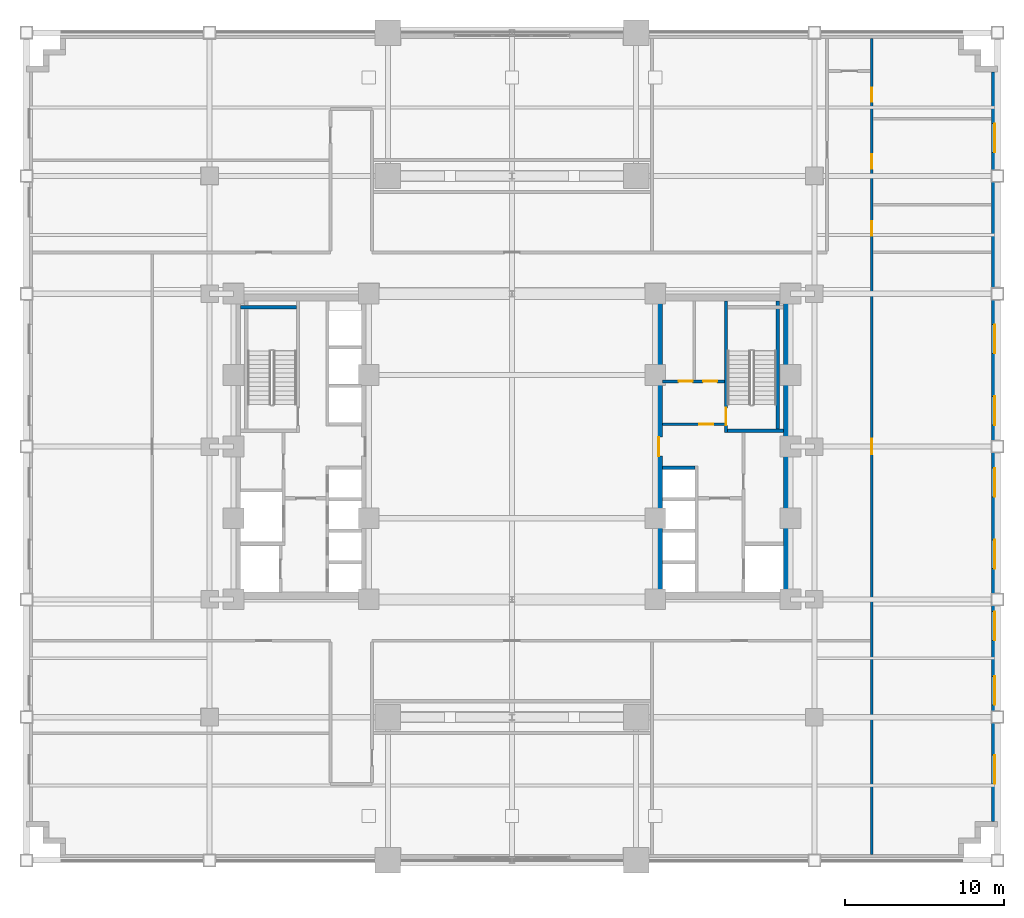
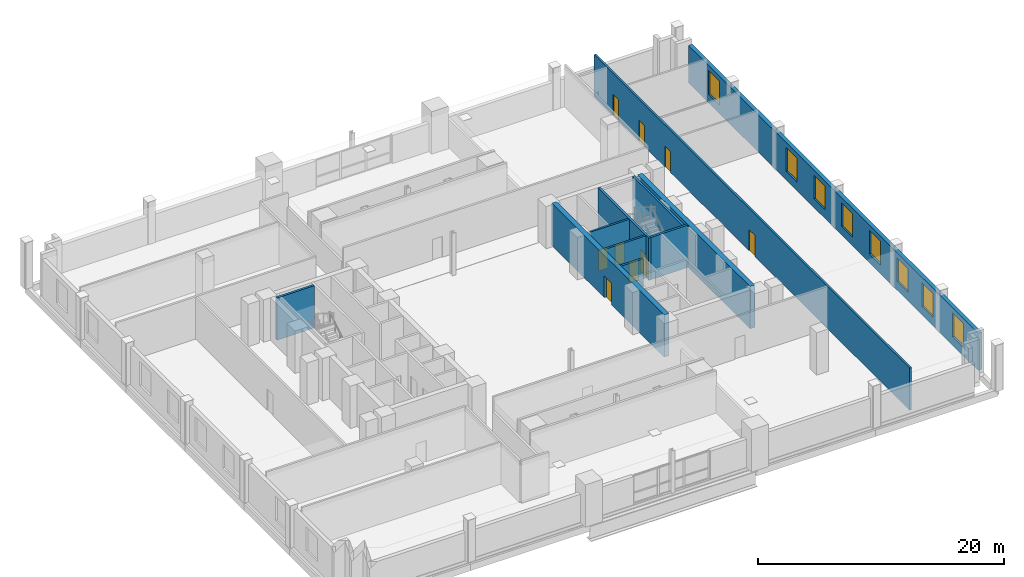
# One storey, part 8 of 17: 11 walls, 9 doors, 8 windows, 17 openings.
"""IFC4 building model written with IfcOpenShell, lengths in metres."""

from ifc_helpers import new_model, si_unit, direction, frame, frame_2d, origin, place, context, subcontext, project, spatial, rectangle, extrude, source, transform, mapped, material, layer, layer_set, type_object, type_shapes, element, fill, save


model = new_model("IFC4")

# Units and contexts
model_context = context("Model", 3, precision=1e-05, world=origin(), true_north=direction((0.0, 1.0)))
body_context = subcontext(model_context, "Body", "Model", "MODEL_VIEW")
ifc_project = project(units=[si_unit("LENGTHUNIT", "METRE"), si_unit("AREAUNIT", "SQUARE_METRE"), si_unit("VOLUMEUNIT", "CUBIC_METRE"), si_unit("PLANEANGLEUNIT", "RADIAN"), si_unit("MASSUNIT", "GRAM", prefix="KILO")], contexts=[model_context])

# Site, building, storey
site_placement = place(None, origin())
site = spatial("IfcSite", under=ifc_project, at=site_placement, CompositionType="ELEMENT")
building_placement = place(site_placement, origin())
building = spatial("IfcBuilding", under=site, at=building_placement, Name="Nuvemarco Arch Tower", CompositionType="ELEMENT")
storey_placement = place(building_placement, frame((0.0, 0.0, 23.0)))
storey = spatial("IfcBuildingStorey", under=building, at=storey_placement, Name="L05", CompositionType="ELEMENT", Elevation=23.0)

# Wall, openings, windows
ifc_material_1 = material(Name="Precast concrete C45/55", Category="concrete")
ifc_layer_1 = layer(ifc_material_1, 0.360107421875, Name="EW-POD-360")
ifc_layer_set_1 = layer_set([ifc_layer_1], Name="Precast concrete C45/55")
wall_type_1 = type_object("IfcWallType", Name="EW-POD-360", PredefinedType="STANDARD", material=ifc_layer_set_1)
wall_1_placement = place(storey_placement, frame((30.320068359375, -23.5439453125, 0.0), z_axis=(0.0, 0.0, 1.0), x_axis=(0.0, 1.0, 0.0)))
wall_1 = element("IfcWall", 1, at=wall_1_placement, inside=storey, type_object=wall_type_1, Name="L05 exterior precast facade wall 6", PredefinedType="STANDARD", context=body_context, shape_type="SweptSolid", body=[
    extrude(rectangle(XDim=47.087890625, YDim=0.360107421875, at=frame_2d((23.5439453125, 0.0))), origin(), (0.0, 0.0, 1.0), 3.701904296875),
])
opening_1_placement = place(wall_1_placement, frame((2.3544921875, 0.0, 0.85009765625)))
opening_1 = element("IfcOpeningElement", 2, at=opening_1_placement, cuts=wall_1, Name="Opening WN-2", PredefinedType="OPENING", context=body_context, shape_type="SweptSolid", body=[
    extrude(rectangle(XDim=1.800048828125, YDim=2.35009765625, at=frame_2d((0.89990234375, 1.175048828125))), frame((0.0, 0.18994140625, 0.0), z_axis=(0.0, -1.0, 0.0), x_axis=(1.0, 0.0, 0.0)), (0.0, 0.0, 1.0), 0.380126953125),
])
opening_2_placement = place(wall_1_placement, frame((7.313232421875, 0.0, 0.85009765625)))
opening_2 = element("IfcOpeningElement", 3, at=opening_2_placement, cuts=wall_1, Name="Opening WN-2", PredefinedType="OPENING", context=body_context, shape_type="SweptSolid", body=[
    extrude(rectangle(XDim=1.800048828125, YDim=2.35009765625, at=frame_2d((0.89990234375, 1.175048828125))), frame((0.0, 0.18994140625, 0.0), z_axis=(0.0, -1.0, 0.0), x_axis=(1.0, 0.0, 0.0)), (0.0, 0.0, 1.0), 0.380126953125),
])
opening_3_placement = place(wall_1_placement, frame((11.3720703125, 0.0, 0.85009765625)))
opening_3 = element("IfcOpeningElement", 4, at=opening_3_placement, cuts=wall_1, Name="Opening WN-2", PredefinedType="OPENING", context=body_context, shape_type="SweptSolid", body=[
    extrude(rectangle(XDim=1.800048828125, YDim=2.35009765625, at=frame_2d((0.89990234375, 1.175048828125))), frame((0.0, 0.18994140625, 0.0), z_axis=(0.0, -1.0, 0.0), x_axis=(1.0, 0.0, 0.0)), (0.0, 0.0, 1.0), 0.380126953125),
])
opening_4_placement = place(wall_1_placement, frame((15.880859375, 0.0, 0.85009765625)))
opening_4 = element("IfcOpeningElement", 5, at=opening_4_placement, cuts=wall_1, Name="Opening WN-2", PredefinedType="OPENING", context=body_context, shape_type="SweptSolid", body=[
    extrude(rectangle(XDim=1.800048828125, YDim=2.35009765625, at=frame_2d((0.89990234375, 1.175048828125))), frame((0.0, 0.18994140625, 0.0), z_axis=(0.0, -1.0, 0.0), x_axis=(1.0, 0.0, 0.0)), (0.0, 0.0, 1.0), 0.380126953125),
])
opening_5_placement = place(wall_1_placement, frame((20.3896484375, 0.0, 0.85009765625)))
opening_5 = element("IfcOpeningElement", 6, at=opening_5_placement, cuts=wall_1, Name="Opening WN-2", PredefinedType="OPENING", context=body_context, shape_type="SweptSolid", body=[
    extrude(rectangle(XDim=1.800048828125, YDim=2.35009765625, at=frame_2d((0.89990234375, 1.175048828125))), frame((0.0, 0.18994140625, 0.0), z_axis=(0.0, -1.0, 0.0), x_axis=(1.0, 0.0, 0.0)), (0.0, 0.0, 1.0), 0.380126953125),
])
opening_6_placement = place(wall_1_placement, frame((24.8984375, 0.0, 0.85009765625)))
opening_6 = element("IfcOpeningElement", 7, at=opening_6_placement, cuts=wall_1, Name="Opening WN-2", PredefinedType="OPENING", context=body_context, shape_type="SweptSolid", body=[
    extrude(rectangle(XDim=1.800048828125, YDim=2.35009765625, at=frame_2d((0.89990234375, 1.175048828125))), frame((0.0, 0.18994140625, 0.0), z_axis=(0.0, -1.0, 0.0), x_axis=(1.0, 0.0, 0.0)), (0.0, 0.0, 1.0), 0.380126953125),
])
opening_7_placement = place(wall_1_placement, frame((29.4072265625, 0.0, 0.85009765625)))
opening_7 = element("IfcOpeningElement", 8, at=opening_7_placement, cuts=wall_1, Name="Opening WN-2", PredefinedType="OPENING", context=body_context, shape_type="SweptSolid", body=[
    extrude(rectangle(XDim=1.800048828125, YDim=2.35009765625, at=frame_2d((0.89990234375, 1.175048828125))), frame((0.0, 0.18994140625, 0.0), z_axis=(0.0, -1.0, 0.0), x_axis=(1.0, 0.0, 0.0)), (0.0, 0.0, 1.0), 0.380126953125),
])
opening_8_placement = place(wall_1_placement, frame((42.03369140625, 0.0, 0.85009765625)))
opening_8 = element("IfcOpeningElement", 9, at=opening_8_placement, cuts=wall_1, Name="Opening WN-2", PredefinedType="OPENING", context=body_context, shape_type="SweptSolid", body=[
    extrude(rectangle(XDim=1.800048828125, YDim=2.35009765625, at=frame_2d((0.89990234375, 1.175048828125))), frame((0.0, 0.18994140625, 0.0), z_axis=(0.0, -1.0, 0.0), x_axis=(1.0, 0.0, 0.0)), (0.0, 0.0, 1.0), 0.380126953125),
])
ifc_material_2 = material(Name="Insulated solar-control glass", Category="glass")
window_type = type_object("IfcWindowType", Name="WN-POD-1800x2350", PartitioningType="DOUBLE_PANEL_VERTICAL", PredefinedType="WINDOW", material=ifc_material_2)
shared_shape_1 = source(origin(), body_context, "Body", "SweptSolid", [
    extrude(rectangle(XDim=1.800048828125, YDim=2.35009765625, at=frame_2d((0.89990234375, 1.175048828125))), frame((0.0, 0.030029296875, 0.0), z_axis=(0.0, -1.0, 0.0), x_axis=(1.0, 0.0, 0.0)), (0.0, 0.0, 1.0), 0.06005859375),
])
type_shapes(window_type, [shared_shape_1])
window_1_placement = place(opening_1_placement, origin())
window_1 = element("IfcWindow", 10, at=window_1_placement, inside=storey, type_object=window_type, Name="L05 punched facade window 1", OverallHeight=2.35009765625, OverallWidth=1.800048828125, PartitioningType="SINGLE_PANEL", PredefinedType="WINDOW", context=body_context, shape_type="MappedRepresentation", body=[
    mapped(shared_shape_1, transform((0.0, 0.0, 0.0), scale=1.0)),
])
fill(opening_1, window_1)
window_2_placement = place(opening_2_placement, origin())
window_2 = element("IfcWindow", 11, at=window_2_placement, inside=storey, type_object=window_type, Name="L05 punched facade window 2", OverallHeight=2.35009765625, OverallWidth=1.800048828125, PartitioningType="SINGLE_PANEL", PredefinedType="WINDOW", context=body_context, shape_type="MappedRepresentation", body=[
    mapped(shared_shape_1, transform((0.0, 0.0, 0.0), scale=1.0)),
])
fill(opening_2, window_2)
window_3_placement = place(opening_3_placement, origin())
window_3 = element("IfcWindow", 12, at=window_3_placement, inside=storey, type_object=window_type, Name="L05 punched facade window 3", OverallHeight=2.35009765625, OverallWidth=1.800048828125, PartitioningType="SINGLE_PANEL", PredefinedType="WINDOW", context=body_context, shape_type="MappedRepresentation", body=[
    mapped(shared_shape_1, transform((0.0, 0.0, 0.0), scale=1.0)),
])
fill(opening_3, window_3)
window_4_placement = place(opening_4_placement, origin())
window_4 = element("IfcWindow", 13, at=window_4_placement, inside=storey, type_object=window_type, Name="L05 punched facade window 4", OverallHeight=2.35009765625, OverallWidth=1.800048828125, PartitioningType="SINGLE_PANEL", PredefinedType="WINDOW", context=body_context, shape_type="MappedRepresentation", body=[
    mapped(shared_shape_1, transform((0.0, 0.0, 0.0), scale=1.0)),
])
fill(opening_4, window_4)
window_5_placement = place(opening_5_placement, origin())
window_5 = element("IfcWindow", 14, at=window_5_placement, inside=storey, type_object=window_type, Name="L05 punched facade window 5", OverallHeight=2.35009765625, OverallWidth=1.800048828125, PartitioningType="SINGLE_PANEL", PredefinedType="WINDOW", context=body_context, shape_type="MappedRepresentation", body=[
    mapped(shared_shape_1, transform((0.0, 0.0, 0.0), scale=1.0)),
])
fill(opening_5, window_5)
window_6_placement = place(opening_6_placement, origin())
window_6 = element("IfcWindow", 15, at=window_6_placement, inside=storey, type_object=window_type, Name="L05 punched facade window 6", OverallHeight=2.35009765625, OverallWidth=1.800048828125, PartitioningType="SINGLE_PANEL", PredefinedType="WINDOW", context=body_context, shape_type="MappedRepresentation", body=[
    mapped(shared_shape_1, transform((0.0, 0.0, 0.0), scale=1.0)),
])
fill(opening_6, window_6)
window_7_placement = place(opening_7_placement, origin())
window_7 = element("IfcWindow", 16, at=window_7_placement, inside=storey, type_object=window_type, Name="L05 punched facade window 7", OverallHeight=2.35009765625, OverallWidth=1.800048828125, PartitioningType="SINGLE_PANEL", PredefinedType="WINDOW", context=body_context, shape_type="MappedRepresentation", body=[
    mapped(shared_shape_1, transform((0.0, 0.0, 0.0), scale=1.0)),
])
fill(opening_7, window_7)
window_8_placement = place(opening_8_placement, origin())
window_8 = element("IfcWindow", 17, at=window_8_placement, inside=storey, type_object=window_type, Name="L05 punched facade window 10", OverallHeight=2.35009765625, OverallWidth=1.800048828125, PartitioningType="SINGLE_PANEL", PredefinedType="WINDOW", context=body_context, shape_type="MappedRepresentation", body=[
    mapped(shared_shape_1, transform((0.0, 0.0, 0.0), scale=1.0)),
])
fill(opening_8, window_8)

# Wall, opening, door
ifc_material_3 = material(Name="Concrete C60/75", Category="concrete")
ifc_layer_2 = layer(ifc_material_3, 0.449951171875, Name="WL-CORE-450")
ifc_layer_set_2 = layer_set([ifc_layer_2], Name="Concrete C60/75")
wall_type_2 = type_object("IfcWallType", Name="WL-CORE-450", PredefinedType="SHEAR", material=ifc_layer_set_2)
wall_2_placement = place(storey_placement, frame((9.22509765625, -9.155029296875, 0.0), z_axis=(0.0, 0.0, 1.0), x_axis=(0.0, 1.0, 0.0)))
wall_2 = element("IfcWall", 18, at=wall_2_placement, inside=storey, type_object=wall_type_2, Name="L05 E-core shear wall W", PredefinedType="SHEAR", context=body_context, shape_type="SweptSolid", body=[
    extrude(rectangle(XDim=18.31005859375, YDim=0.449951171875, at=frame_2d((9.155029296875, 0.0))), origin(), (0.0, 0.0, 1.0), 4.199951171875),
])
opening_9_placement = place(wall_2_placement, frame((8.554931640625, 0.0, 0.0)))
opening_9 = element("IfcOpeningElement", 19, at=opening_9_placement, cuts=wall_2, Name="Opening FD-2", PredefinedType="OPENING", context=body_context, shape_type="SweptSolid", body=[
    extrude(rectangle(XDim=1.199951171875, YDim=2.14990234375, at=frame_2d((0.60009765625, 1.074951171875))), frame((0.0, 0.23486328125, 0.0), z_axis=(0.0, -1.0, 0.0), x_axis=(1.0, 0.0, 0.0)), (0.0, 0.0, 1.0), 0.469970703125),
])
ifc_material_4 = material(Name="Anodised steel fire door", Category="steel")
door_type_1 = type_object("IfcDoorType", Name="DR-FFLOB-FD", OperationType="NOTDEFINED", PredefinedType="DOOR", material=ifc_material_4)
shared_shape_2 = source(origin(), body_context, "Body", "SweptSolid", [
    extrude(rectangle(XDim=1.199951171875, YDim=2.14990234375, at=frame_2d((0.60009765625, 1.074951171875))), frame((0.0, 0.02490234375, 0.0), z_axis=(0.0, -1.0, 0.0), x_axis=(1.0, 0.0, 0.0)), (0.0, 0.0, 1.0), 0.050048828125),
])
type_shapes(door_type_1, [shared_shape_2])
door_1_placement = place(opening_9_placement, origin())
door_1 = element("IfcDoor", 20, at=door_1_placement, inside=storey, type_object=door_type_1, Name="L05 door FD-L05-ECORE-W", OperationType="SINGLE_SWING_LEFT", OverallHeight=2.14990234375, OverallWidth=1.199951171875, PredefinedType="DOOR", context=body_context, shape_type="MappedRepresentation", body=[
    mapped(shared_shape_2, transform((0.0, 0.0, 0.0), scale=1.0)),
])
fill(opening_9, door_1)

# Wall
wall_3_placement = place(storey_placement, frame((17.27490234375, -9.155029296875, 0.0), z_axis=(0.0, 0.0, 1.0), x_axis=(0.0, 1.0, 0.0)))
element("IfcWall", 21, at=wall_3_placement, inside=storey, type_object=wall_type_2, Name="L05 E-core shear wall E", PredefinedType="SHEAR", context=body_context, shape_type="SweptSolid", body=[
    extrude(rectangle(XDim=18.31005859375, YDim=0.449951171875, at=frame_2d((9.155029296875, 0.0))), origin(), (0.0, 0.0, 1.0), 4.199951171875),
])

# Wall, opening, door
ifc_material_5 = material(Name="Fire-rated gypsum drywall partition")
ifc_layer_3 = layer(ifc_material_5, 0.179931640625, Name="WL-CORR-180")
ifc_layer_set_3 = layer_set([ifc_layer_3], Name="Fire-rated gypsum drywall partition")
wall_type_3 = type_object("IfcWallType", Name="WL-CORR-180", PredefinedType="PARTITIONING", material=ifc_layer_set_3)
wall_4_placement = place(storey_placement, frame((9.445068359375, 1.39990234375, 0.0), z_axis=(0.0, 0.0, 1.0), x_axis=(1.0, 0.0, 0.0)))
wall_4 = element("IfcWall", 22, at=wall_4_placement, inside=storey, type_object=wall_type_3, Name="L05 interior wall IW-L05-EK-S", PredefinedType="PARTITIONING", context=body_context, shape_type="SweptSolid", body=[
    extrude(rectangle(XDim=3.89990234375, YDim=0.179931640625, at=frame_2d((1.949951171875, 0.0))), origin(), (0.0, 0.0, 1.0), 4.18994140625),
])
opening_10_placement = place(wall_4_placement, frame((2.31494140625, 0.0, 0.0)))
opening_10 = element("IfcOpeningElement", 23, at=opening_10_placement, cuts=wall_4, Name="Opening FD-4", PredefinedType="OPENING", context=body_context, shape_type="SweptSolid", body=[
    extrude(rectangle(XDim=0.8798828125, YDim=2.10009765625, at=frame_2d((0.43994140625, 1.050048828125))), frame((0.0, 0.099853515625, 0.0), z_axis=(0.0, -1.0, 0.0), x_axis=(1.0, 0.0, 0.0)), (0.0, 0.0, 1.0), 0.199951171875),
])
door_type_2 = type_object("IfcDoorType", Name="DR-RISER-FD", OperationType="NOTDEFINED", PredefinedType="DOOR", material=ifc_material_4)
shared_shape_3 = source(origin(), body_context, "Body", "SweptSolid", [
    extrude(rectangle(XDim=0.8798828125, YDim=2.10009765625, at=frame_2d((0.43994140625, 1.050048828125))), frame((0.0, 0.02490234375, 0.0), z_axis=(0.0, -1.0, 0.0), x_axis=(1.0, 0.0, 0.0)), (0.0, 0.0, 1.0), 0.050048828125),
])
type_shapes(door_type_2, [shared_shape_3])
door_2_placement = place(opening_10_placement, origin())
door_2 = element("IfcDoor", 24, at=door_2_placement, inside=storey, type_object=door_type_2, Name="L05 door FD-L05-EK3A", OperationType="SINGLE_SWING_RIGHT", OverallHeight=2.10009765625, OverallWidth=0.8798828125, PredefinedType="DOOR", context=body_context, shape_type="MappedRepresentation", body=[
    mapped(shared_shape_3, transform((0.0, 0.0, 0.0), scale=1.0)),
])
fill(opening_10, door_2)

# Wall, openings, doors
wall_5_placement = place(storey_placement, frame((9.445068359375, 4.10009765625, 0.0), z_axis=(0.0, 0.0, 1.0), x_axis=(1.0, 0.0, 0.0)))
wall_5 = element("IfcWall", 25, at=wall_5_placement, inside=storey, type_object=wall_type_3, Name="L05 interior wall IW-L05-EK3H", PredefinedType="PARTITIONING", context=body_context, shape_type="SweptSolid", body=[
    extrude(rectangle(XDim=3.89990234375, YDim=0.179931640625, at=frame_2d((1.949951171875, 0.0))), origin(), (0.0, 0.0, 1.0), 4.18994140625),
])
opening_11_placement = place(wall_5_placement, frame((1.02001953125, 0.0, 0.0)))
opening_11 = element("IfcOpeningElement", 26, at=opening_11_placement, cuts=wall_5, Name="Opening FD-4", PredefinedType="OPENING", context=body_context, shape_type="SweptSolid", body=[
    extrude(rectangle(XDim=0.8798828125, YDim=2.10009765625, at=frame_2d((0.43994140625, 1.050048828125))), frame((0.0, 0.099853515625, 0.0), z_axis=(0.0, -1.0, 0.0), x_axis=(1.0, 0.0, 0.0)), (0.0, 0.0, 1.0), 0.199951171875),
])
opening_12_placement = place(wall_5_placement, frame((2.56494140625, 0.0, 0.0)))
opening_12 = element("IfcOpeningElement", 27, at=opening_12_placement, cuts=wall_5, Name="Opening FD-4", PredefinedType="OPENING", context=body_context, shape_type="SweptSolid", body=[
    extrude(rectangle(XDim=0.8798828125, YDim=2.10009765625, at=frame_2d((0.43994140625, 1.050048828125))), frame((0.0, 0.099853515625, 0.0), z_axis=(0.0, -1.0, 0.0), x_axis=(1.0, 0.0, 0.0)), (0.0, 0.0, 1.0), 0.199951171875),
])
door_3_placement = place(opening_11_placement, origin())
door_3 = element("IfcDoor", 28, at=door_3_placement, inside=storey, type_object=door_type_2, Name="L05 door FD-L05-EK3B", OperationType="SINGLE_SWING_LEFT", OverallHeight=2.10009765625, OverallWidth=0.8798828125, PredefinedType="DOOR", context=body_context, shape_type="MappedRepresentation", body=[
    mapped(shared_shape_3, transform((0.0, 0.0, 0.0), scale=1.0)),
])
fill(opening_11, door_3)
door_4_placement = place(opening_12_placement, origin())
door_4 = element("IfcDoor", 29, at=door_4_placement, inside=storey, type_object=door_type_2, Name="L05 door FD-L05-EK3C", OperationType="SINGLE_SWING_RIGHT", OverallHeight=2.10009765625, OverallWidth=0.8798828125, PredefinedType="DOOR", context=body_context, shape_type="MappedRepresentation", body=[
    mapped(shared_shape_3, transform((0.0, 0.0, 0.0), scale=1.0)),
])
fill(opening_12, door_4)

wall_6_placement = place(storey_placement, frame((22.60009765625, -25.639892578125, 0.0), z_axis=(0.0, 0.0, 1.0), x_axis=(0.0, 1.0, 0.0)))
wall_6 = element("IfcWall", 30, at=wall_6_placement, inside=storey, type_object=wall_type_3, Name="L05 interior wall IW-L05-025", PredefinedType="PARTITIONING", context=body_context, shape_type="SweptSolid", body=[
    extrude(rectangle(XDim=51.27978515625, YDim=0.179931640625, at=frame_2d((25.639892578125, 0.0))), origin(), (0.0, 0.0, 1.0), 4.18994140625),
])
opening_13_placement = place(wall_6_placement, frame((25.159912109375, 0.0, 0.0)))
opening_13 = element("IfcOpeningElement", 31, at=opening_13_placement, cuts=wall_6, Name="Opening FD-5", PredefinedType="OPENING", context=body_context, shape_type="SweptSolid", body=[
    extrude(rectangle(XDim=0.9599609375, YDim=2.10009765625, at=frame_2d((0.47998046875, 1.050048828125))), frame((0.0, 0.099853515625, 0.0), z_axis=(0.0, -1.0, 0.0), x_axis=(1.0, 0.0, 0.0)), (0.0, 0.0, 1.0), 0.199951171875),
])
opening_14_placement = place(wall_6_placement, frame((43.090087890625, 0.0, 0.0)))
opening_14 = element("IfcOpeningElement", 32, at=opening_14_placement, cuts=wall_6, Name="Opening ID-3", PredefinedType="OPENING", context=body_context, shape_type="SweptSolid", body=[
    extrude(rectangle(XDim=0.89990234375, YDim=2.10009765625, at=frame_2d((0.449951171875, 1.050048828125))), frame((0.0, 0.099853515625, 0.0), z_axis=(0.0, -1.0, 0.0), x_axis=(1.0, 0.0, 0.0)), (0.0, 0.0, 1.0), 0.199951171875),
])
opening_15_placement = place(wall_6_placement, frame((38.889892578125, 0.0, 0.0)))
opening_15 = element("IfcOpeningElement", 33, at=opening_15_placement, cuts=wall_6, Name="Opening ID-3", PredefinedType="OPENING", context=body_context, shape_type="SweptSolid", body=[
    extrude(rectangle(XDim=0.89990234375, YDim=2.10009765625, at=frame_2d((0.449951171875, 1.050048828125))), frame((0.0, 0.099853515625, 0.0), z_axis=(0.0, -1.0, 0.0), x_axis=(1.0, 0.0, 0.0)), (0.0, 0.0, 1.0), 0.199951171875),
])
opening_16_placement = place(wall_6_placement, frame((47.2900390625, 0.0, 0.0)))
opening_16 = element("IfcOpeningElement", 34, at=opening_16_placement, cuts=wall_6, Name="Opening ID-3", PredefinedType="OPENING", context=body_context, shape_type="SweptSolid", body=[
    extrude(rectangle(XDim=0.89990234375, YDim=2.10009765625, at=frame_2d((0.449951171875, 1.050048828125))), frame((0.0, 0.099853515625, 0.0), z_axis=(0.0, -1.0, 0.0), x_axis=(1.0, 0.0, 0.0)), (0.0, 0.0, 1.0), 0.199951171875),
])
ifc_material_6 = material(Name="Timber fire door", Category="wood")
door_type_3 = type_object("IfcDoorType", Name="DR-CORR-FD", OperationType="NOTDEFINED", PredefinedType="DOOR", material=ifc_material_6)
shared_shape_4 = source(origin(), body_context, "Body", "SweptSolid", [
    extrude(rectangle(XDim=0.9599609375, YDim=2.10009765625, at=frame_2d((0.47998046875, 1.050048828125))), frame((0.0, 0.02490234375, 0.0), z_axis=(0.0, -1.0, 0.0), x_axis=(1.0, 0.0, 0.0)), (0.0, 0.0, 1.0), 0.050048828125),
])
type_shapes(door_type_3, [shared_shape_4])
door_5_placement = place(opening_13_placement, origin())
door_5 = element("IfcDoor", 35, at=door_5_placement, inside=storey, type_object=door_type_3, Name="L05 door DR-L05-BRG_LOUNGE", OperationType="SINGLE_SWING_LEFT", OverallHeight=2.10009765625, OverallWidth=0.9599609375, PredefinedType="DOOR", context=body_context, shape_type="MappedRepresentation", body=[
    mapped(shared_shape_4, transform((0.0, 0.0, 0.0), scale=1.0)),
])
fill(opening_13, door_5)
ifc_material_7 = material(Name="Veneered oak timber fire door", Category="wood")
door_type_4 = type_object("IfcDoorType", Name="DR-WC-ACC", OperationType="NOTDEFINED", PredefinedType="DOOR", material=ifc_material_7)
shared_shape_5 = source(origin(), body_context, "Body", "SweptSolid", [
    extrude(rectangle(XDim=0.89990234375, YDim=2.10009765625, at=frame_2d((0.449951171875, 1.050048828125))), frame((0.0, 0.02490234375, 0.0), z_axis=(0.0, -1.0, 0.0), x_axis=(1.0, 0.0, 0.0)), (0.0, 0.0, 1.0), 0.050048828125),
])
type_shapes(door_type_4, [shared_shape_5])
door_6_placement = place(opening_14_placement, origin())
door_6 = element("IfcDoor", 36, at=door_6_placement, inside=storey, type_object=door_type_4, Name="L05 door DR-L05-BRG_WC_F", OperationType="SINGLE_SWING_LEFT", OverallHeight=2.10009765625, OverallWidth=0.89990234375, PredefinedType="DOOR", context=body_context, shape_type="MappedRepresentation", body=[
    mapped(shared_shape_5, transform((0.0, 0.0, 0.0), scale=1.0)),
])
fill(opening_14, door_6)
door_7_placement = place(opening_15_placement, origin())
door_7 = element("IfcDoor", 37, at=door_7_placement, inside=storey, type_object=door_type_4, Name="L05 door DR-L05-BRG_WC_ACC", OperationType="SINGLE_SWING_RIGHT", OverallHeight=2.10009765625, OverallWidth=0.89990234375, PredefinedType="DOOR", context=body_context, shape_type="MappedRepresentation", body=[
    mapped(shared_shape_5, transform((0.0, 0.0, 0.0), scale=1.0)),
])
fill(opening_15, door_7)
door_8_placement = place(opening_16_placement, origin())
door_8 = element("IfcDoor", 38, at=door_8_placement, inside=storey, type_object=door_type_4, Name="L05 door DR-L05-BRG_WC_M", OperationType="SINGLE_SWING_LEFT", OverallHeight=2.10009765625, OverallWidth=0.89990234375, PredefinedType="DOOR", context=body_context, shape_type="MappedRepresentation", body=[
    mapped(shared_shape_5, transform((0.0, 0.0, 0.0), scale=1.0)),
])
fill(opening_16, door_8)

# Wall
ifc_material_8 = material(Name="Concrete C50/60", Category="concrete")
ifc_layer_4 = layer(ifc_material_8, 0.199951171875, Name="WL-SHAFT-220")
ifc_layer_set_4 = layer_set([ifc_layer_4], Name="Concrete C50/60")
wall_type_4 = type_object("IfcWallType", Name="WL-SHAFT-220", PredefinedType="SHEAR", material=ifc_layer_set_4)
wall_7_placement = place(storey_placement, frame((-17.054931640625, 8.75, 0.0), z_axis=(0.0, 0.0, 1.0), x_axis=(1.0, 0.0, 0.0)))
element("IfcWall", 39, at=wall_7_placement, inside=storey, type_object=wall_type_4, Name="L05 structural shaft wall SW-L05-W-ST1N", PredefinedType="SHEAR", context=body_context, shape_type="SweptSolid", body=[
    extrude(rectangle(XDim=3.52001953125, YDim=0.199951171875, at=frame_2d((1.760009765625, 0.0))), origin(), (0.0, 0.0, 1.0), 4.199951171875),
])

# Wall, opening, door
wall_8_placement = place(storey_placement, frame((13.43994140625, 0.89990234375, 0.0), z_axis=(0.0, 0.0, 1.0), x_axis=(0.0, 1.0, 0.0)))
wall_8 = element("IfcWall", 40, at=wall_8_placement, inside=storey, type_object=wall_type_4, Name="L05 structural shaft wall SW-L05-E-ST2W", PredefinedType="SHEAR", context=body_context, shape_type="SweptSolid", body=[
    extrude(rectangle(XDim=8.255126953125, YDim=0.199951171875, at=frame_2d((4.12744140625, 0.0))), origin(), (0.0, 0.0, 1.0), 4.199951171875),
])
opening_17_placement = place(wall_8_placement, frame((0.429931640625, 0.0, 0.0)))
opening_17 = element("IfcOpeningElement", 41, at=opening_17_placement, cuts=wall_8, Name="Opening FD-1", PredefinedType="OPENING", context=body_context, shape_type="SweptSolid", body=[
    extrude(rectangle(XDim=1.10009765625, YDim=2.14990234375, at=frame_2d((0.550048828125, 1.074951171875))), frame((0.0, 0.10986328125, 0.0), z_axis=(0.0, -1.0, 0.0), x_axis=(1.0, 0.0, 0.0)), (0.0, 0.0, 1.0), 0.219970703125),
])
door_type_5 = type_object("IfcDoorType", Name="DR-STAIR-FD", OperationType="NOTDEFINED", PredefinedType="DOOR", material=ifc_material_4)
shared_shape_6 = source(origin(), body_context, "Body", "SweptSolid", [
    extrude(rectangle(XDim=1.10009765625, YDim=2.14990234375, at=frame_2d((0.550048828125, 1.074951171875))), frame((0.0, 0.02490234375, 0.0), z_axis=(0.0, -1.0, 0.0), x_axis=(1.0, 0.0, 0.0)), (0.0, 0.0, 1.0), 0.050048828125),
])
type_shapes(door_type_5, [shared_shape_6])
door_9_placement = place(opening_17_placement, origin())
door_9 = element("IfcDoor", 42, at=door_9_placement, inside=storey, type_object=door_type_5, Name="L05 door FD-L05-ST2", OperationType="SINGLE_SWING_LEFT", OverallHeight=2.14990234375, OverallWidth=1.10009765625, PredefinedType="DOOR", context=body_context, shape_type="MappedRepresentation", body=[
    mapped(shared_shape_6, transform((0.0, 0.0, 0.0), scale=1.0)),
])
fill(opening_17, door_9)

# Walls
wall_9_placement = place(storey_placement, frame((13.534912109375, 1.0, 0.0), z_axis=(0.0, 0.0, 1.0), x_axis=(1.0, 0.0, 0.0)))
element("IfcWall", 43, at=wall_9_placement, inside=storey, type_object=wall_type_4, Name="L05 structural shaft wall SW-L05-E-ST2S", PredefinedType="SHEAR", context=body_context, shape_type="SweptSolid", body=[
    extrude(rectangle(XDim=3.52001953125, YDim=0.199951171875, at=frame_2d((1.760009765625, 0.0))), origin(), (0.0, 0.0, 1.0), 4.199951171875),
])
wall_10_placement = place(storey_placement, frame((16.699951171875, 1.094970703125, 0.0), z_axis=(0.0, 0.0, 1.0), x_axis=(0.0, 1.0, 0.0)))
element("IfcWall", 44, at=wall_10_placement, inside=storey, type_object=wall_type_4, Name="L05 structural shaft wall SW-L05-E-ST2E", PredefinedType="SHEAR", context=body_context, shape_type="SweptSolid", body=[
    extrude(rectangle(XDim=8.06005859375, YDim=0.199951171875, at=frame_2d((4.030029296875, 0.0))), origin(), (0.0, 0.0, 1.0), 4.199951171875),
])
wall_11_placement = place(storey_placement, frame((9.445068359375, -1.330078125, 0.0), z_axis=(0.0, 0.0, 1.0), x_axis=(1.0, 0.0, 0.0)))
element("IfcWall", 45, at=wall_11_placement, inside=storey, type_object=wall_type_4, Name="L05 structural shaft wall SW-L05-E-PMD4", PredefinedType="SHEAR", context=body_context, shape_type="SweptSolid", body=[
    extrude(rectangle(XDim=2.059814453125, YDim=0.199951171875, at=frame_2d((1.02978515625, 0.0))), origin(), (0.0, 0.0, 1.0), 4.199951171875),
])

save(model, "model.ifc")
